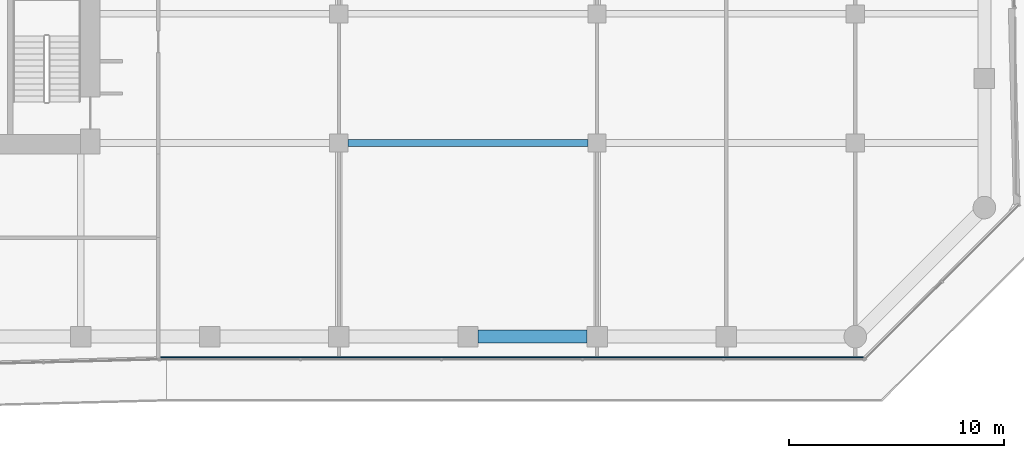
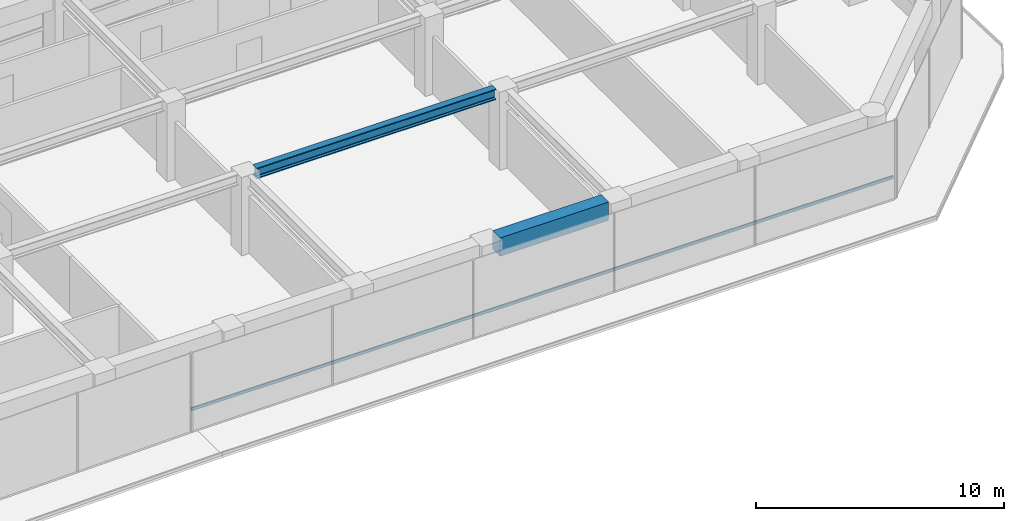
# One storey, part 8 of 29: 2 beams, 1 member, 1 element without a shape of its own.
"""IFC4 building model written with IfcOpenShell, lengths in metres."""

import ifcopenshell
import ifcopenshell.guid

model = None  # the IFC model being written
_history = None  # IfcOwnerHistory: only IFC2X3 demands one
_inside = {}  # id of a spatial element -> (the spatial element, [elements in it])
_under = {}  # id of a project, library or spatial element -> (it, [spatial elements below it])
_declared = {}  # id of a project -> (the project, [libraries it declares])
_typed = {}  # id of a type object -> (the type object, [elements of that type])
_made_of = {}  # id of a material, layer set ... -> (it, [elements and type objects made of it])


def new_model(schema):
    """Start an empty IFC model of exactly this schema.

    Asked for "IFC4X3", IfcOpenShell would pick the latest addendum, in which some entities
    have other attributes; the version numbers below select the first issue.
    IFC2X3 requires an IfcOwnerHistory on every rooted entity: one is made here for all.
    """
    global model, _history
    if schema == "IFC4X3":
        model = ifcopenshell.file(schema_version=(4, 3, 0, 0))
    else:
        model = ifcopenshell.file(schema=schema)
    _inside.clear()
    _under.clear()
    _declared.clear()
    _typed.clear()
    _made_of.clear()
    _history = None
    if model.schema == "IFC2X3":
        org = make("IfcOrganization", Name="unknown")
        user = make(
            "IfcPersonAndOrganization",
            ThePerson=make("IfcPerson", FamilyName="unknown"),
            TheOrganization=org,
        )
        app = make(
            "IfcApplication",
            ApplicationDeveloper=org,
            Version="unknown",
            ApplicationFullName="unknown",
            ApplicationIdentifier="unknown",
        )
        _history = make(
            "IfcOwnerHistory",
            OwningUser=user,
            OwningApplication=app,
            ChangeAction="ADDED",
            CreationDate=0,
        )
    return model


def make(cls, **values):
    """One entity of the class cls with the attributes given. An attribute that is None is left unset."""
    return model.create_entity(
        cls, **{name: value for name, value in values.items() if value is not None}
    )


def rooted(cls, **values):
    """An entity with a GlobalId (a new one), such as an element, a storey or a relation."""
    return make(cls, GlobalId=ifcopenshell.guid.new(), OwnerHistory=_history, **values)


def si_unit(unit_type, name, prefix=None):
    """IfcSIUnit, for example si_unit("LENGTHUNIT", "METRE", prefix="MILLI")."""
    return make("IfcSIUnit", UnitType=unit_type, Prefix=prefix, Name=name)


def assignment(units):
    """IfcUnitAssignment: the units of a project."""
    return None if units is None else make("IfcUnitAssignment", Units=units)


def point(xyz):
    """IfcCartesianPoint."""
    return None if xyz is None else make("IfcCartesianPoint", Coordinates=xyz)


def direction(xyz):
    """IfcDirection."""
    return None if xyz is None else make("IfcDirection", DirectionRatios=xyz)


def frame(location, z_axis=None, x_axis=None):
    """IfcAxis2Placement3D, a coordinate frame: its origin and axes. An axis left out is left unset."""
    return make(
        "IfcAxis2Placement3D",
        Location=point(location),
        Axis=direction(z_axis),
        RefDirection=direction(x_axis),
    )


def frame_2d(location, x_axis=None):
    """IfcAxis2Placement2D, a coordinate frame in the plane: its origin and x axis."""
    return make(
        "IfcAxis2Placement2D", Location=point(location), RefDirection=direction(x_axis)
    )


def origin():
    """The frame at (0, 0, 0) with its axes left unset."""
    return frame((0.0, 0.0, 0.0))


def origin_2d():
    """The frame at (0, 0) in the plane with its x axis left unset."""
    return frame_2d((0.0, 0.0))


def place(relative_to, where):
    """IfcLocalPlacement: puts the frame where relative to a parent placement (None: the world)."""
    return make(
        "IfcLocalPlacement", PlacementRelTo=relative_to, RelativePlacement=where
    )


def context(
    kind, dimensions, precision=None, world=None, true_north=None, identifier=None
):
    """IfcGeometricRepresentationContext, for example the 3D "Model" context."""
    return make(
        "IfcGeometricRepresentationContext",
        ContextIdentifier=identifier,
        ContextType=kind,
        CoordinateSpaceDimension=dimensions,
        Precision=precision,
        WorldCoordinateSystem=world,
        TrueNorth=true_north,
    )


def subcontext(parent, identifier, kind, view, scale=None):
    """IfcGeometricRepresentationSubContext, for example "Body" below "Model"."""
    return make(
        "IfcGeometricRepresentationSubContext",
        ContextIdentifier=identifier,
        ContextType=kind,
        ParentContext=parent,
        TargetScale=scale,
        TargetView=view,
    )


def project(units=None, contexts=None):
    """IfcProject with its units and contexts."""
    return rooted(
        "IfcProject",
        Name="project",
        RepresentationContexts=contexts,
        UnitsInContext=assignment(units),
    )


def spatial(cls, under=None, at=None, **own):
    """A site, building, storey or space (cls), placed at a placement, below another one or the project."""
    s = rooted(cls, ObjectPlacement=at, **own)
    if under is not None:
        _under.setdefault(under.id(), (under, []))[1].append(s)
    return s


def profile(cls, at=None, kind="AREA", **sizes):
    """A parametric profile (cls). Its sizes go by their IFC names, for example OverallWidth=200.0."""
    return make(cls, ProfileType=kind, Position=at, **sizes)


def rectangle(**sizes):
    """IfcRectangleProfileDef."""
    return profile("IfcRectangleProfileDef", **sizes)


def i_section(**sizes):
    """IfcIShapeProfileDef."""
    return profile("IfcIShapeProfileDef", **sizes)


def extrude(swept, where, along, depth):
    """IfcExtrudedAreaSolid: the profile swept, set in the frame where, extruded along a direction by depth."""
    return make(
        "IfcExtrudedAreaSolid",
        SweptArea=swept,
        Position=where,
        ExtrudedDirection=direction(along),
        Depth=depth,
    )


def shape(context_of_items, identifier, shape_type, items):
    """IfcShapeRepresentation: the items that make up one representation, for example the "Body"."""
    return make(
        "IfcShapeRepresentation",
        ContextOfItems=context_of_items,
        RepresentationIdentifier=identifier,
        RepresentationType=shape_type,
        Items=items,
    )


def material(Name=None, Category=None):
    """IfcMaterial."""
    return make("IfcMaterial", Name=Name, Category=Category)


def layer(
    of_material, thickness, ventilated=None, Name=None, Category=None, Priority=None
):
    """IfcMaterialLayer: one layer of a wall or slab, of a material (None: an air gap)."""
    return make(
        "IfcMaterialLayer",
        Material=of_material,
        LayerThickness=thickness,
        IsVentilated=ventilated,
        Name=Name,
        Category=Category,
        Priority=Priority,
    )


def layer_set(layers, Name=None):
    """IfcMaterialLayerSet."""
    return make("IfcMaterialLayerSet", MaterialLayers=layers, LayerSetName=Name)


def material_profile(
    of_material, cross_section, Name=None, Category=None, Priority=None
):
    """IfcMaterialProfile: a cross section and its material."""
    return make(
        "IfcMaterialProfile",
        Name=Name,
        Material=of_material,
        Profile=cross_section,
        Priority=Priority,
        Category=Category,
    )


def profile_set(profiles, Name=None, composite=None):
    """IfcMaterialProfileSet."""
    return make(
        "IfcMaterialProfileSet",
        Name=Name,
        MaterialProfiles=profiles,
        CompositeProfile=composite,
    )


def made_of(thing, what):
    """Note that an element or type object is made of a material, layer set ...; save() writes the relation."""
    if what is not None:
        _made_of.setdefault(what.id(), (what, []))[1].append(thing)
    return thing


def type_object(cls, material=None, **own):
    """A type object (cls), such as IfcWallType, which elements share."""
    return made_of(rooted(cls, **own), material)


def element(
    cls,
    number,
    at=None,
    inside=None,
    cuts=None,
    type_object=None,
    material=None,
    context=None,
    identifier="Body",
    shape_type=None,
    held_by="IfcProductDefinitionShape",
    body=None,
    shapes=None,
    **own,
):
    """One element of the class cls, such as IfcWall. Its Tag is "e" and its number.

    at: its placement. inside: the storey or other place that contains it. cuts: it is an
    opening in that element (IfcRelVoidsElement). A single representation is given by context,
    identifier, shape_type and body (its items); several are given by shapes. held_by: the class
    of the entity that holds the representations. save() writes the other relations.
    """
    e = rooted(cls, Tag="e%d" % number, ObjectPlacement=at, **own)
    if body is not None:
        shapes = [shape(context, identifier, shape_type, body)]
    if shapes is not None:
        e.Representation = make(held_by, Representations=shapes)
    if inside is not None:
        _inside.setdefault(inside.id(), (inside, []))[1].append(e)
    if cuts is not None:
        rooted(
            "IfcRelVoidsElement", RelatingBuildingElement=cuts, RelatedOpeningElement=e
        )
    if type_object is not None:
        _typed.setdefault(type_object.id(), (type_object, []))[1].append(e)
    return made_of(e, material)


def aggregate(whole, parts):
    """IfcRelAggregates: a whole, such as a stair, and the parts it consists of."""
    return rooted("IfcRelAggregates", RelatingObject=whole, RelatedObjects=parts)


def save(model, path):
    """Write the relations noted so far, then the file.

    IfcRelAggregates (storeys below a building ...), IfcRelContainedInSpatialStructure (elements
    in a storey), IfcRelDefinesByType, IfcRelAssociatesMaterial and IfcRelDeclares: one each for
    every whole, place, type object, material and project.
    """
    for whole, parts in _under.values():
        aggregate(whole, parts)
    for where, things in _inside.values():
        rooted(
            "IfcRelContainedInSpatialStructure",
            RelatedElements=things,
            RelatingStructure=where,
        )
    for kind, things in _typed.values():
        rooted("IfcRelDefinesByType", RelatedObjects=things, RelatingType=kind)
    for what, things in _made_of.values():
        rooted("IfcRelAssociatesMaterial", RelatedObjects=things, RelatingMaterial=what)
    for by, libraries in _declared.values():
        rooted("IfcRelDeclares", RelatingContext=by, RelatedDefinitions=libraries)
    model.write(path)


model = new_model("IFC4")

# Units and contexts
model_context = context("Model", 3, precision=1e-05, world=origin(), true_north=direction((0.0, 1.0)))
body_context = subcontext(model_context, "Body", "Model", "MODEL_VIEW")
ifc_project = project(units=[si_unit("LENGTHUNIT", "METRE"), si_unit("AREAUNIT", "SQUARE_METRE"), si_unit("VOLUMEUNIT", "CUBIC_METRE"), si_unit("PLANEANGLEUNIT", "RADIAN"), si_unit("MASSUNIT", "GRAM", prefix="KILO")], contexts=[model_context])

# Site, building, storey
site_placement = place(None, origin())
site = spatial("IfcSite", under=ifc_project, at=site_placement, CompositionType="ELEMENT")
building_placement = place(site_placement, origin())
building = spatial("IfcBuilding", under=site, at=building_placement, Name="Welwitschia Terrace Campus", CompositionType="ELEMENT")
storey_placement = place(building_placement, frame((0.0, 0.0, 58.39990234375)))
storey = spatial("IfcBuildingStorey", under=building, at=storey_placement, Name="L13", CompositionType="ELEMENT", Elevation=58.39990234375)

# Beams
ifc_material_1 = material(Name="Steel S355", Category="steel")
ifc_material_profile_1 = material_profile(ifc_material_1, i_section(OverallWidth=0.305908203125, OverallDepth=0.52392578125, WebThickness=0.02099609375, FlangeThickness=0.0400390625, FilletRadius=0.027099609375, at=origin_2d()))
ifc_profile_set_1 = profile_set([ifc_material_profile_1], Name="Steel S355")
beam_type_1 = type_object("IfcBeamType", Name="Interior girder HE 500 M", PredefinedType="BEAM", material=ifc_profile_set_1)
beam_1_placement = place(storey_placement, frame((36.425537109375, 5.0, 3.588134765625), z_axis=(1.0, 0.0, 0.0), x_axis=(0.0, 1.0, 0.0)))
element("IfcBeam", 1, at=beam_1_placement, inside=storey, type_object=beam_type_1, Name="Girder GB2", PredefinedType="BEAM", context=body_context, shape_type="SweptSolid", body=[
    extrude(i_section(OverallWidth=0.305908203125, OverallDepth=0.52392578125, WebThickness=0.02099609375, FlangeThickness=0.0400390625, FilletRadius=0.027099609375, at=origin_2d()), origin(), (0.0, 0.0, 1.0), 11.14892578125),
])
ifc_material_2 = material(Name="Concrete C60/75", Category="concrete")
ifc_material_profile_2 = material_profile(ifc_material_2, rectangle(XDim=0.60009765625, YDim=0.89990234375, at=origin_2d()))
ifc_profile_set_2 = profile_set([ifc_material_profile_2], Name="Concrete C60/75")
beam_type_2 = type_object("IfcBeamType", Name="Ring spandrel 600x900", PredefinedType="SPANDREL", material=ifc_profile_set_2)
beam_2_placement = place(storey_placement, frame((42.4755859375, -4.0, 3.400146484375), z_axis=(1.0, 0.0, 0.0), x_axis=(0.0, 1.0, 0.0)))
element("IfcBeam", 2, at=beam_2_placement, inside=storey, type_object=beam_type_2, Name="Spandrel SP2", PredefinedType="SPANDREL", context=body_context, shape_type="SweptSolid", body=[
    extrude(rectangle(XDim=0.60009765625, YDim=0.89990234375, at=origin_2d()), origin(), (0.0, 0.0, 1.0), 5.048828125),
])

# Curtain wall, member
ifc_material_3 = material(Name="Bronze anodised aluminium", Category="aluminium")
ifc_layer = layer(ifc_material_3, 0.1201171875)
ifc_layer_set = layer_set([ifc_layer], Name="Bronze anodised aluminium")
curtain_wall_type = type_object("IfcCurtainWallType", Name="Curtain wall CW2 tower 6000", PredefinedType="NOTDEFINED", material=ifc_layer_set)
curtain_wall_placement = place(storey_placement, origin())
curtain_wall = element("IfcCurtainWall", 3, at=curtain_wall_placement, inside=storey, type_object=curtain_wall_type, Name="CW L13.3.0", PredefinedType="NOTDEFINED")
ifc_material_4 = material(Name="Bronze anodised aluminium", Category="aluminium")
ifc_material_profile_3 = material_profile(ifc_material_4, rectangle(XDim=0.06005859375, YDim=0.14990234375, at=origin_2d()))
ifc_profile_set_3 = profile_set([ifc_material_profile_3], Name="Bronze anodised aluminium")
member_type = type_object("IfcMemberType", Name="Transom 60x150", PredefinedType="USERDEFINED", material=ifc_profile_set_3)
member_placement = place(storey_placement, frame((27.712646484375, -4.968017578125, 1.0), z_axis=(1.0, 0.0, 0.0), x_axis=(0.0, 1.0, 0.0)))
member = element("IfcMember", 4, at=member_placement, type_object=member_type, Name="Transom L13.3.0", ObjectType="TRANSOM", PredefinedType="USERDEFINED", context=body_context, shape_type="SweptSolid", body=[
    extrude(rectangle(XDim=0.06005859375, YDim=0.14990234375, at=origin_2d()), origin(), (0.0, 0.0, 1.0), 32.66552734375),
])
aggregate(curtain_wall, [member])

save(model, "model.ifc")
